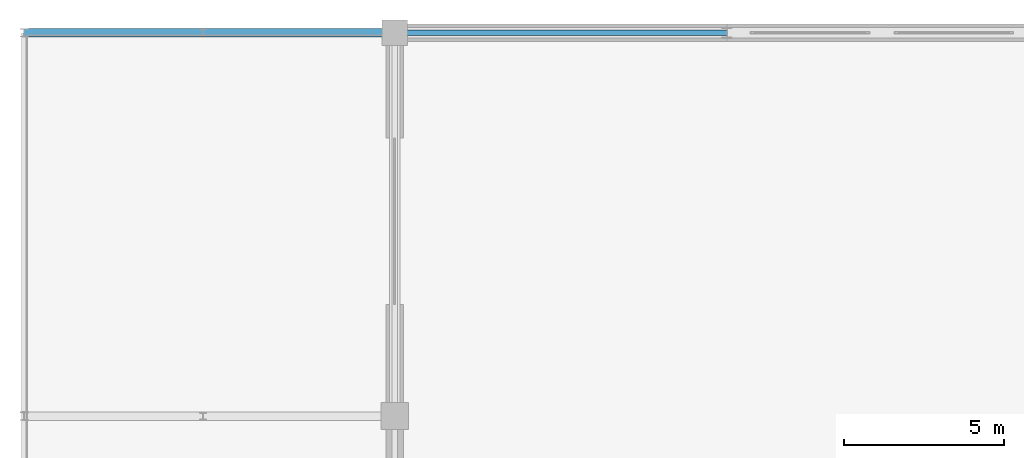
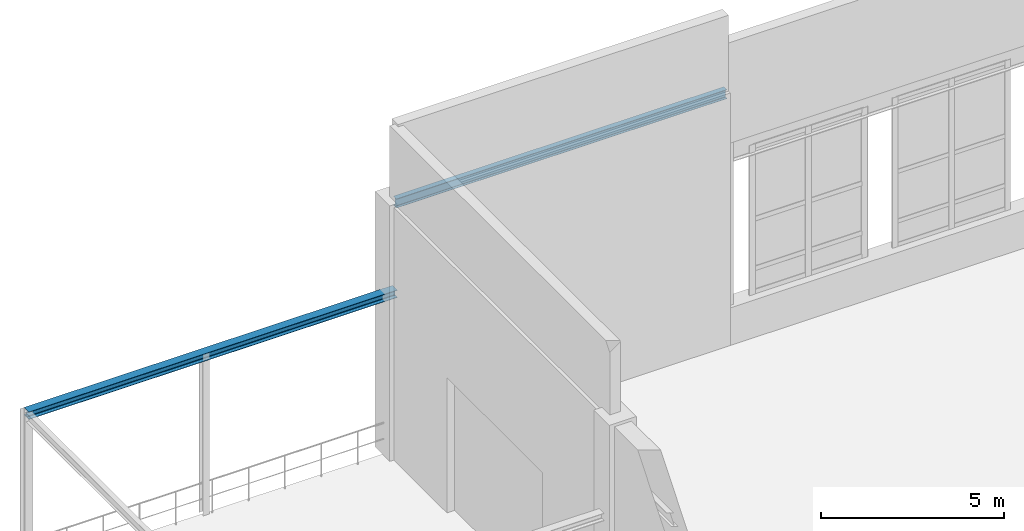
# One storey, part 63 of 97: 2 beams.
"""IFC4 building model written with IfcOpenShell, lengths in metres."""

from ifc_helpers import new_model, si_unit, derived_unit, direction, frame, origin, origin_2d, place, context, subcontext, project, spatial, i_section, extrude, material, material_profile, profile_set, type_object, element, save


model = new_model("IFC4")

# Units and contexts
model_context = context("Model", 3, precision=1e-05, world=origin(), true_north=direction((0.0, 1.0)))
body_context = subcontext(model_context, "Body", "Model", "MODEL_VIEW")
ifc_project = project(units=[si_unit("LENGTHUNIT", "METRE"), si_unit("AREAUNIT", "SQUARE_METRE"), si_unit("VOLUMEUNIT", "CUBIC_METRE"), si_unit("PLANEANGLEUNIT", "RADIAN"), si_unit("MASSUNIT", "GRAM", prefix="KILO"), derived_unit("THERMALTRANSMITTANCEUNIT", [(si_unit("POWERUNIT", "WATT"), 1), (si_unit("LENGTHUNIT", "METRE"), -2), (si_unit("THERMODYNAMICTEMPERATUREUNIT", "KELVIN"), -1)])], contexts=[model_context])

# Site, building, storey
site_placement = place(None, origin())
site = spatial("IfcSite", under=ifc_project, at=site_placement, CompositionType="ELEMENT")
building_placement = place(site_placement, origin())
building = spatial("IfcBuilding", under=site, at=building_placement, Name="Almenara Railside Exhibition Hall", CompositionType="ELEMENT")
storey_placement = place(building_placement, frame((0.0, 0.0, 10.800048828125)))
storey = spatial("IfcBuildingStorey", under=building, at=storey_placement, Name="L02", CompositionType="ELEMENT", Elevation=10.800048828125)

# Beams
ifc_material = material(Name="Structural steel S355JR", Category="steel")
ifc_material_profile_1 = material_profile(ifc_material, i_section(OverallWidth=0.1650390625, OverallDepth=0.303466796875, WebThickness=0.006103515625, FlangeThickness=0.01025390625, FilletRadius=0.0087890625, at=origin_2d()), Name="UB 305x165x40")
ifc_profile_set_1 = profile_set([ifc_material_profile_1], Name="Structural steel S355JR")
beam_type_1 = type_object("IfcBeamType", Name="Steel Canopy Edge Spandrel UB 305x165x40 S355JR", PredefinedType="SPANDREL", material=ifc_profile_set_1)
beam_1_placement = place(storey_placement, frame((12.0, 132.0, 8.248291015625), z_axis=(1.0, 0.0, 0.0), x_axis=(0.0, 1.0, 0.0)))
element("IfcBeam", 1, at=beam_1_placement, inside=storey, type_object=beam_type_1, Name="BM-CRNLNT-V1G1-132", PredefinedType="SPANDREL", context=body_context, shape_type="SweptSolid", body=[
    extrude(i_section(OverallWidth=0.1650390625, OverallDepth=0.303466796875, WebThickness=0.006103515625, FlangeThickness=0.01025390625, FilletRadius=0.0087890625, at=origin_2d()), origin(), (0.0, 0.0, 1.0), 10.39990234375),
])
ifc_material_profile_2 = material_profile(ifc_material, i_section(OverallWidth=0.260009765625, OverallDepth=0.25, WebThickness=0.007568359375, FlangeThickness=0.012451171875, FilletRadius=0.02392578125, at=origin_2d()), Name="HEA 260")
ifc_profile_set_2 = profile_set([ifc_material_profile_2], Name="Structural steel S355JR")
beam_type_2 = type_object("IfcBeamType", Name="Steel Ramp Canopy Beam HEA 260 S355JR", PredefinedType="BEAM", material=ifc_profile_set_2)
beam_2_placement = place(storey_placement, frame((0.39990234375, 132.0, 5.27490234375), z_axis=(1.0, 0.0, 0.0), x_axis=(0.0, 1.0, 0.0)))
element("IfcBeam", 2, at=beam_2_placement, inside=storey, type_object=beam_type_2, Name="Beam 0945", PredefinedType="BEAM", context=body_context, shape_type="SweptSolid", body=[
    extrude(i_section(OverallWidth=0.260009765625, OverallDepth=0.25, WebThickness=0.007568359375, FlangeThickness=0.012451171875, FilletRadius=0.02392578125, at=origin_2d()), origin(), (0.0, 0.0, 1.0), 11.60009765625),
])

save(model, "model.ifc")
